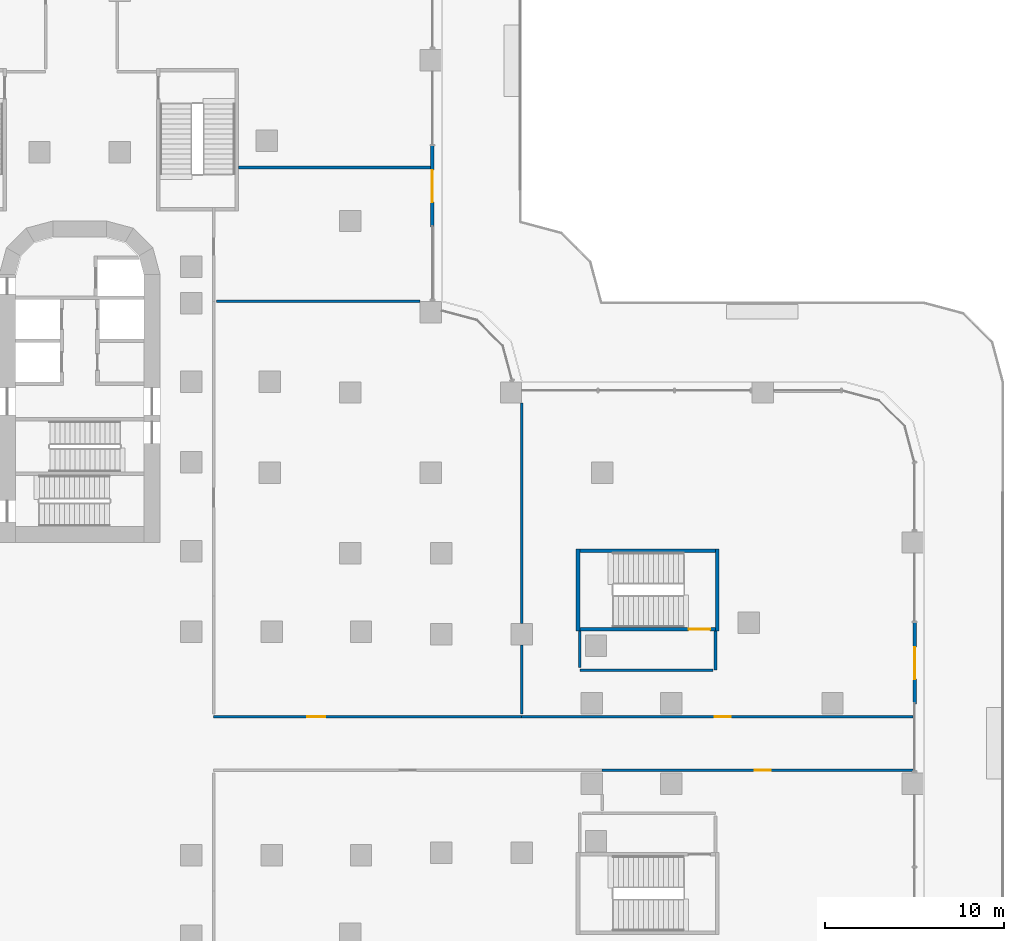
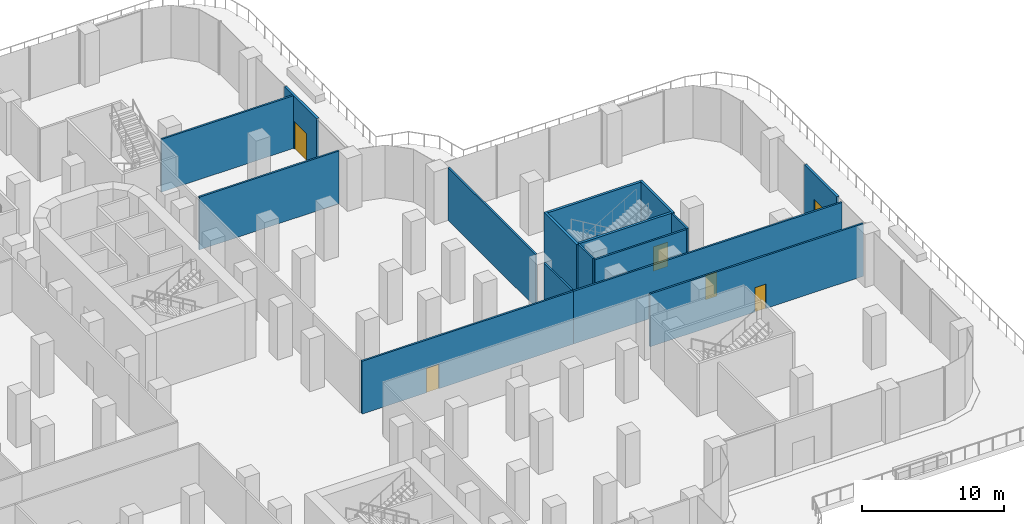
# One storey, part 22 of 29: 16 walls, 6 doors, 6 openings.
"""IFC4 building model written with IfcOpenShell, lengths in metres."""

from ifc_helpers import new_model, si_unit, direction, frame, frame_2d, origin, place, context, subcontext, project, spatial, rectangle, extrude, material, layer, layer_set, type_object, element, fill, save


model = new_model("IFC4")

# Units and contexts
model_context = context("Model", 3, precision=1e-05, world=origin(), true_north=direction((0.0, 1.0)))
body_context = subcontext(model_context, "Body", "Model", "MODEL_VIEW")
ifc_project = project(units=[si_unit("LENGTHUNIT", "METRE"), si_unit("AREAUNIT", "SQUARE_METRE"), si_unit("VOLUMEUNIT", "CUBIC_METRE"), si_unit("PLANEANGLEUNIT", "RADIAN"), si_unit("MASSUNIT", "GRAM", prefix="KILO")], contexts=[model_context])

# Site, building, storey
site_placement = place(None, origin())
site = spatial("IfcSite", under=ifc_project, at=site_placement, CompositionType="ELEMENT")
building_placement = place(site_placement, origin())
building = spatial("IfcBuilding", under=site, at=building_placement, Name="Zarbagh Exchange Tower", CompositionType="ELEMENT")
storey_placement = place(building_placement, frame((0.0, 0.0, 12.0)))
storey = spatial("IfcBuildingStorey", under=building, at=storey_placement, Name="L02", CompositionType="ELEMENT", Elevation=12.0)

# Walls
ifc_material_1 = material(Name="Plasterboard partition")
ifc_layer_1 = layer(ifc_material_1, 0.14990234375)
ifc_layer_set_1 = layer_set([ifc_layer_1], Name="Board partition 150")
wall_type_1 = type_object("IfcWallType", Name="Board partition 150", PredefinedType="PARTITIONING", material=ifc_layer_set_1)
wall_1_placement = place(storey_placement, frame((35.60009765625, 6.300048828125, 0.0), z_axis=(0.0, 0.0, 1.0), x_axis=(0.0, -1.0, 0.0)))
element("IfcWall", 1, at=wall_1_placement, inside=storey, type_object=wall_type_1, Name="WL-L02-W003", PredefinedType="PARTITIONING", context=body_context, shape_type="SweptSolid", body=[
    extrude(rectangle(XDim=2.199951171875, YDim=0.14990234375, at=frame_2d((1.10009765625, 0.0))), origin(), (0.0, 0.0, 1.0), 4.550048828125),
])
wall_2_placement = place(storey_placement, frame((35.449951171875, 4.10009765625, 0.0), z_axis=(0.0, 0.0, 1.0), x_axis=(-1.0, 0.0, 0.0)))
element("IfcWall", 2, at=wall_2_placement, inside=storey, type_object=wall_type_1, Name="WL-L02-W004", PredefinedType="PARTITIONING", context=body_context, shape_type="SweptSolid", body=[
    extrude(rectangle(XDim=7.449951171875, YDim=0.14990234375, at=frame_2d((3.72509765625, 0.0))), origin(), (0.0, 0.0, 1.0), 4.550048828125),
])
wall_3_placement = place(storey_placement, frame((28.0, 4.25, 0.0), z_axis=(0.0, 0.0, 1.0), x_axis=(0.0, 1.0, 0.0)))
element("IfcWall", 3, at=wall_3_placement, inside=storey, type_object=wall_type_1, Name="WL-L02-W005", PredefinedType="PARTITIONING", context=body_context, shape_type="SweptSolid", body=[
    extrude(rectangle(XDim=2.050048828125, YDim=0.14990234375, at=frame_2d((1.02490234375, 0.0))), origin(), (0.0, 0.0, 1.0), 4.550048828125),
])

# Wall, opening, door
wall_4_placement = place(storey_placement, frame((7.5, 1.5, 0.0), z_axis=(0.0, 0.0, 1.0), x_axis=(1.0, 0.0, 0.0)))
wall_4 = element("IfcWall", 4, at=wall_4_placement, inside=storey, type_object=wall_type_1, Name="WL-L02-W039", PredefinedType="PARTITIONING", context=body_context, shape_type="SweptSolid", body=[
    extrude(rectangle(XDim=17.25, YDim=0.14990234375, at=frame_2d((8.625, 0.0))), origin(), (0.0, 0.0, 1.0), 4.550048828125),
])
opening_1_placement = place(wall_4_placement, frame((5.25, 0.0, 0.0)))
opening_1 = element("IfcOpeningElement", 5, at=opening_1_placement, cuts=wall_4, Name="Opening D55", PredefinedType="OPENING", context=body_context, shape_type="SweptSolid", body=[
    extrude(rectangle(XDim=1.0, YDim=2.10009765625, at=frame_2d((0.5, 1.050048828125))), frame((0.0, 0.0849609375, 0.0), z_axis=(0.0, -1.0, 0.0), x_axis=(1.0, 0.0, 0.0)), (0.0, 0.0, 1.0), 0.169921875),
])
ifc_material_2 = material(Name="Timber door leaf", Category="wood")
door_type_1 = type_object("IfcDoorType", Name="Door single 1000x2100", OperationType="SINGLE_SWING_LEFT", PredefinedType="DOOR", material=ifc_material_2)
door_1_placement = place(opening_1_placement, origin())
door_1 = element("IfcDoor", 6, at=door_1_placement, inside=storey, type_object=door_type_1, Name="D11", OperationType="SINGLE_SWING_LEFT", OverallHeight=2.10009765625, OverallWidth=1.0, PredefinedType="DOOR", context=body_context, shape_type="SweptSolid", body=[
    extrude(rectangle(XDim=1.0, YDim=2.10009765625, at=frame_2d((0.5, 1.050048828125))), frame((0.0, 0.02490234375, 0.0), z_axis=(0.0, -1.0, 0.0), x_axis=(1.0, 0.0, 0.0)), (0.0, 0.0, 1.0), 0.050048828125),
])
fill(opening_1, door_1)

wall_5_placement = place(storey_placement, frame((24.75, 1.5, 0.0), z_axis=(0.0, 0.0, 1.0), x_axis=(1.0, 0.0, 0.0)))
wall_5 = element("IfcWall", 7, at=wall_5_placement, inside=storey, type_object=wall_type_1, Name="WL-L02-W040", PredefinedType="PARTITIONING", context=body_context, shape_type="SweptSolid", body=[
    extrude(rectangle(XDim=21.89990234375, YDim=0.14990234375, at=frame_2d((10.949951171875, 0.0))), origin(), (0.0, 0.0, 1.0), 4.550048828125),
])
opening_2_placement = place(wall_5_placement, frame((10.800048828125, 0.0, 0.0)))
opening_2 = element("IfcOpeningElement", 8, at=opening_2_placement, cuts=wall_5, Name="Opening D12", PredefinedType="OPENING", context=body_context, shape_type="SweptSolid", body=[
    extrude(rectangle(XDim=0.89990234375, YDim=2.10009765625, at=frame_2d((0.449951171875, 1.050048828125))), frame((0.0, 0.0849609375, 0.0), z_axis=(0.0, -1.0, 0.0), x_axis=(1.0, 0.0, 0.0)), (0.0, 0.0, 1.0), 0.169921875),
])
door_type_2 = type_object("IfcDoorType", Name="Door single 900x2100", OperationType="SINGLE_SWING_LEFT", PredefinedType="DOOR", material=ifc_material_2)
door_2_placement = place(opening_2_placement, origin())
door_2 = element("IfcDoor", 9, at=door_2_placement, inside=storey, type_object=door_type_2, Name="D12", OperationType="SINGLE_SWING_LEFT", OverallHeight=2.10009765625, OverallWidth=0.89990234375, PredefinedType="DOOR", context=body_context, shape_type="SweptSolid", body=[
    extrude(rectangle(XDim=0.89990234375, YDim=2.10009765625, at=frame_2d((0.449951171875, 1.050048828125))), frame((0.0, 0.02490234375, 0.0), z_axis=(0.0, -1.0, 0.0), x_axis=(1.0, 0.0, 0.0)), (0.0, 0.0, 1.0), 0.050048828125),
])
fill(opening_2, door_2)

wall_6_placement = place(storey_placement, frame((46.64990234375, -1.5, 0.0), z_axis=(0.0, 0.0, 1.0), x_axis=(-1.0, 0.0, 0.0)))
wall_6 = element("IfcWall", 10, at=wall_6_placement, inside=storey, type_object=wall_type_1, Name="WL-L02-W042", PredefinedType="PARTITIONING", context=body_context, shape_type="SweptSolid", body=[
    extrude(rectangle(XDim=17.39990234375, YDim=0.14990234375, at=frame_2d((8.699951171875, 0.0))), origin(), (0.0, 0.0, 1.0), 4.550048828125),
])
opening_3_placement = place(wall_6_placement, frame((7.949951171875, 0.0, 0.0)))
opening_3 = element("IfcOpeningElement", 11, at=opening_3_placement, cuts=wall_6, Name="Opening D14", PredefinedType="OPENING", context=body_context, shape_type="SweptSolid", body=[
    extrude(rectangle(XDim=0.89990234375, YDim=2.10009765625, at=frame_2d((0.449951171875, 1.050048828125))), frame((0.0, 0.0849609375, 0.0), z_axis=(0.0, -1.0, 0.0), x_axis=(1.0, 0.0, 0.0)), (0.0, 0.0, 1.0), 0.169921875),
])
door_3_placement = place(opening_3_placement, origin())
door_3 = element("IfcDoor", 12, at=door_3_placement, inside=storey, type_object=door_type_2, Name="D14", OperationType="SINGLE_SWING_LEFT", OverallHeight=2.10009765625, OverallWidth=0.89990234375, PredefinedType="DOOR", context=body_context, shape_type="SweptSolid", body=[
    extrude(rectangle(XDim=0.89990234375, YDim=2.10009765625, at=frame_2d((0.449951171875, 1.050048828125))), frame((0.0, 0.02490234375, 0.0), z_axis=(0.0, -1.0, 0.0), x_axis=(1.0, 0.0, 0.0)), (0.0, 0.0, 1.0), 0.050048828125),
])
fill(opening_3, door_3)

# Walls
wall_7_placement = place(storey_placement, frame((24.75, 19.050048828125, 0.0), z_axis=(0.0, 0.0, 1.0), x_axis=(0.0, -1.0, 0.0)))
element("IfcWall", 13, at=wall_7_placement, inside=storey, type_object=wall_type_1, Name="WL-L02-W051", PredefinedType="PARTITIONING", context=body_context, shape_type="SweptSolid", body=[
    extrude(rectangle(XDim=12.340087890625, YDim=0.14990234375, at=frame_2d((6.169921875, 0.0))), origin(), (0.0, 0.0, 1.0), 4.550048828125),
])
wall_8_placement = place(storey_placement, frame((24.75, 5.510009765625, 0.0), z_axis=(0.0, 0.0, 1.0), x_axis=(0.0, -1.0, 0.0)))
element("IfcWall", 14, at=wall_8_placement, inside=storey, type_object=wall_type_1, Name="WL-L02-W052", PredefinedType="PARTITIONING", context=body_context, shape_type="SweptSolid", body=[
    extrude(rectangle(XDim=3.860107421875, YDim=0.14990234375, at=frame_2d((1.93017578125, 0.0))), origin(), (0.0, 0.0, 1.0), 4.550048828125),
])
wall_9_placement = place(storey_placement, frame((7.64990234375, 24.75, 0.0), z_axis=(0.0, 0.0, 1.0), x_axis=(1.0, 0.0, 0.0)))
element("IfcWall", 15, at=wall_9_placement, inside=storey, type_object=wall_type_1, Name="WL-L02-W053", PredefinedType="PARTITIONING", context=body_context, shape_type="SweptSolid", body=[
    extrude(rectangle(XDim=11.400146484375, YDim=0.14990234375, at=frame_2d((5.7001953125, 0.0))), origin(), (0.0, 0.0, 1.0), 4.550048828125),
])
wall_10_placement = place(storey_placement, frame((8.89990234375, 32.25, 0.0), z_axis=(0.0, 0.0, 1.0), x_axis=(1.0, 0.0, 0.0)))
element("IfcWall", 16, at=wall_10_placement, inside=storey, type_object=wall_type_1, Name="WL-L02-W055", PredefinedType="PARTITIONING", context=body_context, shape_type="SweptSolid", body=[
    extrude(rectangle(XDim=10.75, YDim=0.14990234375, at=frame_2d((5.375, 0.0))), origin(), (0.0, 0.0, 1.0), 4.550048828125),
])
ifc_material_3 = material(Name="Concrete C40/50", Category="concrete")
ifc_layer_2 = layer(ifc_material_3, 0.199951171875)
ifc_layer_set_2 = layer_set([ifc_layer_2], Name="Stair enclosure wall 200 mm RC C40/50")
wall_type_2 = type_object("IfcWallType", Name="Stair enclosure wall 200 mm RC C40/50", PredefinedType="SHEAR", material=ifc_layer_set_2)
for number, where, z_axis, x_axis, name in (
    (17, (27.89990234375, 6.300048828125, 0.0), (0.0, 0.0, 1.0), (0.0, 1.0, 0.0), "Exit stair PS3 enclosure wall W"),
    (18, (35.699951171875, 6.300048828125, 0.0), (0.0, 0.0, 1.0), (0.0, 1.0, 0.0), "Exit stair PS3 enclosure wall E"),
):
    element("IfcWall", number, at=place(storey_placement, frame(where, z_axis=z_axis, x_axis=x_axis)), inside=storey, type_object=wall_type_2, Name=name, PredefinedType="SHEAR", context=body_context, shape_type="SweptSolid", body=[
        extrude(rectangle(XDim=4.599853515625, YDim=0.199951171875, at=frame_2d((2.2998046875, 0.0))), origin(), (0.0, 0.0, 1.0), 4.550048828125),
    ])

# Wall, opening, door
wall_11_placement = place(storey_placement, frame((28.0, 6.39990234375, 0.0), z_axis=(0.0, 0.0, 1.0), x_axis=(1.0, 0.0, 0.0)))
wall_11 = element("IfcWall", 19, at=wall_11_placement, inside=storey, type_object=wall_type_2, Name="Exit stair PS3 enclosure wall S", PredefinedType="SHEAR", context=body_context, shape_type="SweptSolid", body=[
    extrude(rectangle(XDim=7.60009765625, YDim=0.199951171875, at=frame_2d((3.800048828125, 0.0))), origin(), (0.0, 0.0, 1.0), 4.550048828125),
])
opening_4_placement = place(wall_11_placement, frame((6.10009765625, 0.0, 0.0)))
opening_4 = element("IfcOpeningElement", 20, at=opening_4_placement, cuts=wall_11, Name="Opening SD1-1200", PredefinedType="OPENING", context=body_context, shape_type="SweptSolid", body=[
    extrude(rectangle(XDim=1.199951171875, YDim=2.10009765625, at=frame_2d((0.60009765625, 1.050048828125))), frame((0.0, 0.10986328125, 0.0), z_axis=(0.0, -1.0, 0.0), x_axis=(1.0, 0.0, 0.0)), (0.0, 0.0, 1.0), 0.219970703125),
])
ifc_material_4 = material(Name="Steel", Category="steel")
door_type_3 = type_object("IfcDoorType", Name="Exit stair door 1200 x 2100", OperationType="NOTDEFINED", PredefinedType="DOOR", material=ifc_material_4)
door_4_placement = place(opening_4_placement, origin())
door_4 = element("IfcDoor", 21, at=door_4_placement, inside=storey, type_object=door_type_3, Name="Exit stair PS3 entry door", OperationType="SINGLE_SWING_RIGHT", OverallHeight=2.10009765625, OverallWidth=1.199951171875, PredefinedType="DOOR", context=body_context, shape_type="SweptSolid", body=[
    extrude(rectangle(XDim=1.199951171875, YDim=2.10009765625, at=frame_2d((0.60009765625, 1.050048828125))), frame((0.0, 0.02490234375, 0.0), z_axis=(0.0, -1.0, 0.0), x_axis=(1.0, 0.0, 0.0)), (0.0, 0.0, 1.0), 0.050048828125),
])
fill(opening_4, door_4)

# Wall
wall_12_placement = place(storey_placement, frame((28.0, 10.800048828125, 0.0), z_axis=(0.0, 0.0, 1.0), x_axis=(1.0, 0.0, 0.0)))
element("IfcWall", 22, at=wall_12_placement, inside=storey, type_object=wall_type_2, Name="Exit stair PS3 enclosure wall N", PredefinedType="SHEAR", context=body_context, shape_type="SweptSolid", body=[
    extrude(rectangle(XDim=7.60009765625, YDim=0.199951171875, at=frame_2d((3.800048828125, 0.0))), origin(), (0.0, 0.0, 1.0), 4.550048828125),
])

# Wall, opening, door
ifc_material_5 = material(Name="Precast concrete C50/60", Category="concrete")
ifc_layer_3 = layer(ifc_material_5, 0.199951171875)
ifc_layer_set_3 = layer_set([ifc_layer_3], Name="Terrace door wall, precast concrete C50/60")
wall_type_3 = type_object("IfcWallType", Name="Terrace door wall, precast concrete C50/60", PredefinedType="SOLIDWALL", material=ifc_layer_set_3)
wall_13_placement = place(storey_placement, frame((46.75, 2.2099609375, 0.0), z_axis=(0.0, 0.0, 1.0), x_axis=(0.0, 1.0, 0.0)))
wall_13 = element("IfcWall", 23, at=wall_13_placement, inside=storey, type_object=wall_type_3, Name="TW11 door wall", PredefinedType="SOLIDWALL", context=body_context, shape_type="SweptSolid", body=[
    extrude(rectangle(XDim=4.580078125, YDim=0.199951171875, at=frame_2d((2.2900390625, 0.0))), origin(), (0.0, 0.0, 1.0), 4.550048828125),
])
opening_5_placement = place(wall_13_placement, frame((1.389892578125, 0.0, 0.0)))
opening_5 = element("IfcOpeningElement", 24, at=opening_5_placement, cuts=wall_13, Name="Opening TD03", PredefinedType="OPENING", context=body_context, shape_type="SweptSolid", body=[
    extrude(rectangle(XDim=1.800048828125, YDim=2.39990234375, at=frame_2d((0.89990234375, 1.199951171875))), frame((0.0, 0.10986328125, 0.0), z_axis=(0.0, -1.0, 0.0), x_axis=(1.0, 0.0, 0.0)), (0.0, 0.0, 1.0), 0.219970703125),
])
ifc_material_6 = material(Name="Anodised aluminium and glass", Category="aluminium")
door_type_4 = type_object("IfcDoorType", Name="Terrace door, double leaf, aluminium and glass", OperationType="DOUBLE_DOOR_DOUBLE_SWING", PredefinedType="DOOR", material=ifc_material_6)
door_5_placement = place(opening_5_placement, origin())
door_5 = element("IfcDoor", 25, at=door_5_placement, inside=storey, type_object=door_type_4, Name="TD03 terrace door", OperationType="SINGLE_SWING_LEFT", OverallHeight=2.39990234375, OverallWidth=1.800048828125, PredefinedType="DOOR", context=body_context, shape_type="SweptSolid", body=[
    extrude(rectangle(XDim=1.800048828125, YDim=2.39990234375, at=frame_2d((0.89990234375, 1.199951171875))), frame((0.0, 0.02490234375, 0.0), z_axis=(0.0, -1.0, 0.0), x_axis=(1.0, 0.0, 0.0)), (0.0, 0.0, 1.0), 0.050048828125),
])
fill(opening_5, door_5)

wall_14_placement = place(storey_placement, frame((19.75, 28.91015625, 0.0), z_axis=(0.0, 0.0, 1.0), x_axis=(0.0, 1.0, 0.0)))
wall_14 = element("IfcWall", 26, at=wall_14_placement, inside=storey, type_object=wall_type_3, Name="TW12 door wall", PredefinedType="SOLIDWALL", context=body_context, shape_type="SweptSolid", body=[
    extrude(rectangle(XDim=4.579833984375, YDim=0.199951171875, at=frame_2d((2.2900390625, 0.0))), origin(), (0.0, 0.0, 1.0), 4.550048828125),
])
opening_6_placement = place(wall_14_placement, frame((1.389892578125, 0.0, 0.0)))
opening_6 = element("IfcOpeningElement", 27, at=opening_6_placement, cuts=wall_14, Name="Opening TD03", PredefinedType="OPENING", context=body_context, shape_type="SweptSolid", body=[
    extrude(rectangle(XDim=1.800048828125, YDim=2.39990234375, at=frame_2d((0.89990234375, 1.199951171875))), frame((0.0, 0.10986328125, 0.0), z_axis=(0.0, -1.0, 0.0), x_axis=(1.0, 0.0, 0.0)), (0.0, 0.0, 1.0), 0.219970703125),
])
door_6_placement = place(opening_6_placement, origin())
door_6 = element("IfcDoor", 28, at=door_6_placement, inside=storey, type_object=door_type_4, Name="TD03 terrace door", OperationType="SINGLE_SWING_LEFT", OverallHeight=2.39990234375, OverallWidth=1.800048828125, PredefinedType="DOOR", context=body_context, shape_type="SweptSolid", body=[
    extrude(rectangle(XDim=1.800048828125, YDim=2.39990234375, at=frame_2d((0.89990234375, 1.199951171875))), frame((0.0, 0.02490234375, 0.0), z_axis=(0.0, -1.0, 0.0), x_axis=(1.0, 0.0, 0.0)), (0.0, 0.0, 1.0), 0.050048828125),
])
fill(opening_6, door_6)

save(model, "model.ifc")
